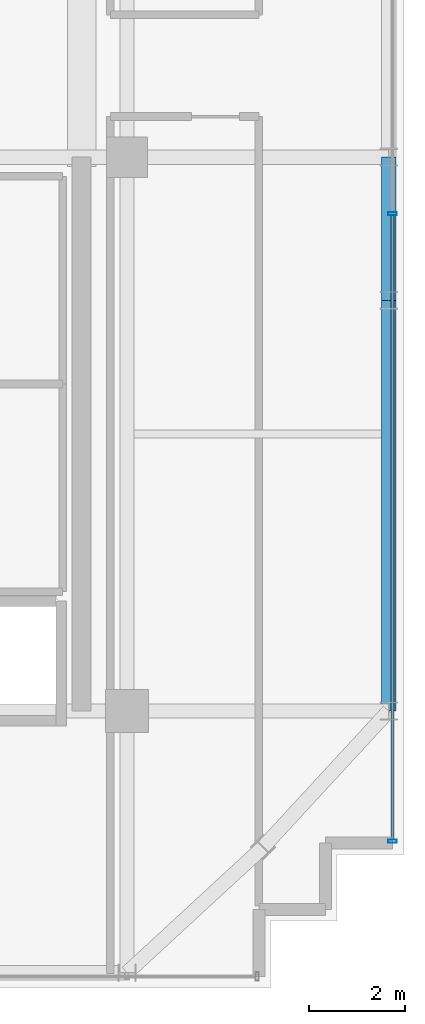
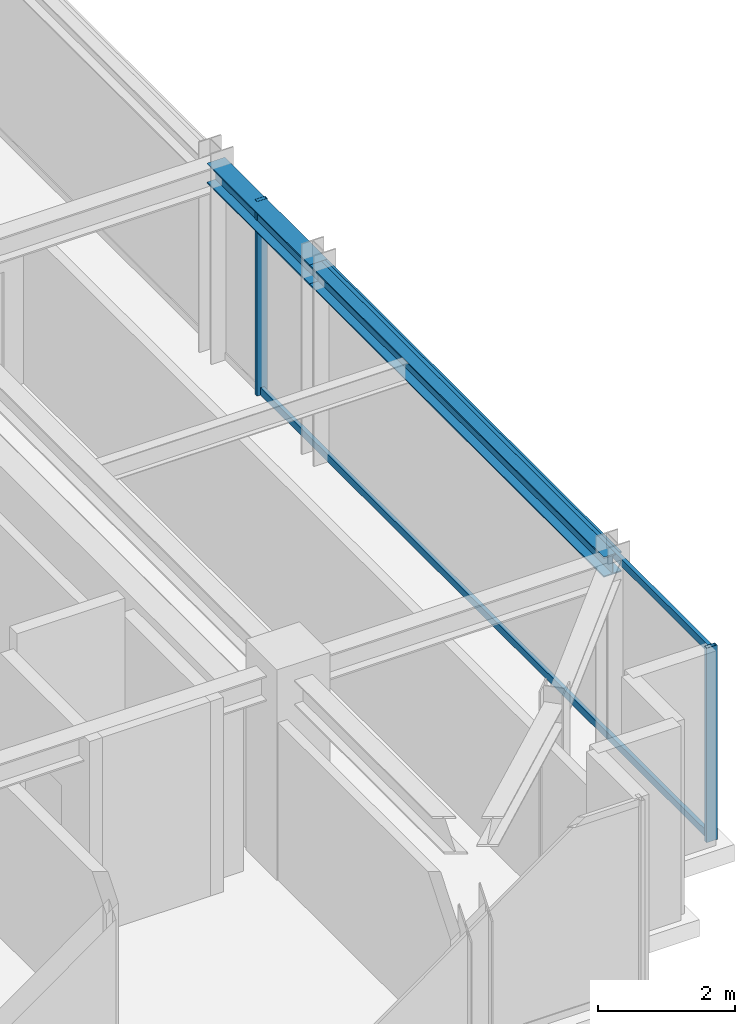
# One storey, part 14 of 34: 4 members, 2 beams, 1 element without a shape of its own.
"""IFC4 building model written with IfcOpenShell, lengths in metres."""

import ifcopenshell
import ifcopenshell.guid

model = None  # the IFC model being written
_history = None  # IfcOwnerHistory: only IFC2X3 demands one
_inside = {}  # id of a spatial element -> (the spatial element, [elements in it])
_under = {}  # id of a project, library or spatial element -> (it, [spatial elements below it])
_declared = {}  # id of a project -> (the project, [libraries it declares])
_typed = {}  # id of a type object -> (the type object, [elements of that type])
_made_of = {}  # id of a material, layer set ... -> (it, [elements and type objects made of it])


def new_model(schema):
    """Start an empty IFC model of exactly this schema.

    Asked for "IFC4X3", IfcOpenShell would pick the latest addendum, in which some entities
    have other attributes; the version numbers below select the first issue.
    IFC2X3 requires an IfcOwnerHistory on every rooted entity: one is made here for all.
    """
    global model, _history
    if schema == "IFC4X3":
        model = ifcopenshell.file(schema_version=(4, 3, 0, 0))
    else:
        model = ifcopenshell.file(schema=schema)
    _inside.clear()
    _under.clear()
    _declared.clear()
    _typed.clear()
    _made_of.clear()
    _history = None
    if model.schema == "IFC2X3":
        org = make("IfcOrganization", Name="unknown")
        user = make(
            "IfcPersonAndOrganization",
            ThePerson=make("IfcPerson", FamilyName="unknown"),
            TheOrganization=org,
        )
        app = make(
            "IfcApplication",
            ApplicationDeveloper=org,
            Version="unknown",
            ApplicationFullName="unknown",
            ApplicationIdentifier="unknown",
        )
        _history = make(
            "IfcOwnerHistory",
            OwningUser=user,
            OwningApplication=app,
            ChangeAction="ADDED",
            CreationDate=0,
        )
    return model


def make(cls, **values):
    """One entity of the class cls with the attributes given. An attribute that is None is left unset."""
    return model.create_entity(
        cls, **{name: value for name, value in values.items() if value is not None}
    )


def rooted(cls, **values):
    """An entity with a GlobalId (a new one), such as an element, a storey or a relation."""
    return make(cls, GlobalId=ifcopenshell.guid.new(), OwnerHistory=_history, **values)


def si_unit(unit_type, name, prefix=None):
    """IfcSIUnit, for example si_unit("LENGTHUNIT", "METRE", prefix="MILLI")."""
    return make("IfcSIUnit", UnitType=unit_type, Prefix=prefix, Name=name)


def assignment(units):
    """IfcUnitAssignment: the units of a project."""
    return None if units is None else make("IfcUnitAssignment", Units=units)


def point(xyz):
    """IfcCartesianPoint."""
    return None if xyz is None else make("IfcCartesianPoint", Coordinates=xyz)


def direction(xyz):
    """IfcDirection."""
    return None if xyz is None else make("IfcDirection", DirectionRatios=xyz)


def frame(location, z_axis=None, x_axis=None):
    """IfcAxis2Placement3D, a coordinate frame: its origin and axes. An axis left out is left unset."""
    return make(
        "IfcAxis2Placement3D",
        Location=point(location),
        Axis=direction(z_axis),
        RefDirection=direction(x_axis),
    )


def frame_2d(location, x_axis=None):
    """IfcAxis2Placement2D, a coordinate frame in the plane: its origin and x axis."""
    return make(
        "IfcAxis2Placement2D", Location=point(location), RefDirection=direction(x_axis)
    )


def origin():
    """The frame at (0, 0, 0) with its axes left unset."""
    return frame((0.0, 0.0, 0.0))


def origin_2d():
    """The frame at (0, 0) in the plane with its x axis left unset."""
    return frame_2d((0.0, 0.0))


def place(relative_to, where):
    """IfcLocalPlacement: puts the frame where relative to a parent placement (None: the world)."""
    return make(
        "IfcLocalPlacement", PlacementRelTo=relative_to, RelativePlacement=where
    )


def context(
    kind, dimensions, precision=None, world=None, true_north=None, identifier=None
):
    """IfcGeometricRepresentationContext, for example the 3D "Model" context."""
    return make(
        "IfcGeometricRepresentationContext",
        ContextIdentifier=identifier,
        ContextType=kind,
        CoordinateSpaceDimension=dimensions,
        Precision=precision,
        WorldCoordinateSystem=world,
        TrueNorth=true_north,
    )


def subcontext(parent, identifier, kind, view, scale=None):
    """IfcGeometricRepresentationSubContext, for example "Body" below "Model"."""
    return make(
        "IfcGeometricRepresentationSubContext",
        ContextIdentifier=identifier,
        ContextType=kind,
        ParentContext=parent,
        TargetScale=scale,
        TargetView=view,
    )


def project(units=None, contexts=None):
    """IfcProject with its units and contexts."""
    return rooted(
        "IfcProject",
        Name="project",
        RepresentationContexts=contexts,
        UnitsInContext=assignment(units),
    )


def spatial(cls, under=None, at=None, **own):
    """A site, building, storey or space (cls), placed at a placement, below another one or the project."""
    s = rooted(cls, ObjectPlacement=at, **own)
    if under is not None:
        _under.setdefault(under.id(), (under, []))[1].append(s)
    return s


def profile(cls, at=None, kind="AREA", **sizes):
    """A parametric profile (cls). Its sizes go by their IFC names, for example OverallWidth=200.0."""
    return make(cls, ProfileType=kind, Position=at, **sizes)


def hollow_rectangle(**sizes):
    """IfcRectangleHollowProfileDef."""
    return profile("IfcRectangleHollowProfileDef", **sizes)


def i_section(**sizes):
    """IfcIShapeProfileDef."""
    return profile("IfcIShapeProfileDef", **sizes)


def extrude(swept, where, along, depth):
    """IfcExtrudedAreaSolid: the profile swept, set in the frame where, extruded along a direction by depth."""
    return make(
        "IfcExtrudedAreaSolid",
        SweptArea=swept,
        Position=where,
        ExtrudedDirection=direction(along),
        Depth=depth,
    )


def shape(context_of_items, identifier, shape_type, items):
    """IfcShapeRepresentation: the items that make up one representation, for example the "Body"."""
    return make(
        "IfcShapeRepresentation",
        ContextOfItems=context_of_items,
        RepresentationIdentifier=identifier,
        RepresentationType=shape_type,
        Items=items,
    )


def source(mapping_origin, context_of_items, identifier, shape_type, items):
    """IfcRepresentationMap: a shape defined once, which mapped items show again and again."""
    return make(
        "IfcRepresentationMap",
        MappingOrigin=mapping_origin,
        MappedRepresentation=shape(context_of_items, identifier, shape_type, items),
    )


def transform(
    local_origin,
    x_axis=None,
    y_axis=None,
    z_axis=None,
    scale=None,
    scale2=None,
    scale3=None,
    uniform=True,
):
    """IfcCartesianTransformationOperator3D, or its non-uniform kind. x_axis, y_axis, z_axis: its Axis1, 2, 3."""
    if uniform:
        return make(
            "IfcCartesianTransformationOperator3D",
            Axis1=direction(x_axis),
            Axis2=direction(y_axis),
            LocalOrigin=point(local_origin),
            Scale=scale,
            Axis3=direction(z_axis),
        )
    return make(
        "IfcCartesianTransformationOperator3DnonUniform",
        Axis1=direction(x_axis),
        Axis2=direction(y_axis),
        LocalOrigin=point(local_origin),
        Scale=scale,
        Axis3=direction(z_axis),
        Scale2=scale2,
        Scale3=scale3,
    )


def mapped(mapping_source, mapping_target):
    """IfcMappedItem: shows the shape of a source again, moved by a transform."""
    return make(
        "IfcMappedItem", MappingSource=mapping_source, MappingTarget=mapping_target
    )


def material(Name=None, Category=None):
    """IfcMaterial."""
    return make("IfcMaterial", Name=Name, Category=Category)


def material_profile(
    of_material, cross_section, Name=None, Category=None, Priority=None
):
    """IfcMaterialProfile: a cross section and its material."""
    return make(
        "IfcMaterialProfile",
        Name=Name,
        Material=of_material,
        Profile=cross_section,
        Priority=Priority,
        Category=Category,
    )


def profile_set(profiles, Name=None, composite=None):
    """IfcMaterialProfileSet."""
    return make(
        "IfcMaterialProfileSet",
        Name=Name,
        MaterialProfiles=profiles,
        CompositeProfile=composite,
    )


def made_of(thing, what):
    """Note that an element or type object is made of a material, layer set ...; save() writes the relation."""
    if what is not None:
        _made_of.setdefault(what.id(), (what, []))[1].append(thing)
    return thing


def type_object(cls, material=None, **own):
    """A type object (cls), such as IfcWallType, which elements share."""
    return made_of(rooted(cls, **own), material)


def element(
    cls,
    number,
    at=None,
    inside=None,
    cuts=None,
    type_object=None,
    material=None,
    context=None,
    identifier="Body",
    shape_type=None,
    held_by="IfcProductDefinitionShape",
    body=None,
    shapes=None,
    **own,
):
    """One element of the class cls, such as IfcWall. Its Tag is "e" and its number.

    at: its placement. inside: the storey or other place that contains it. cuts: it is an
    opening in that element (IfcRelVoidsElement). A single representation is given by context,
    identifier, shape_type and body (its items); several are given by shapes. held_by: the class
    of the entity that holds the representations. save() writes the other relations.
    """
    e = rooted(cls, Tag="e%d" % number, ObjectPlacement=at, **own)
    if body is not None:
        shapes = [shape(context, identifier, shape_type, body)]
    if shapes is not None:
        e.Representation = make(held_by, Representations=shapes)
    if inside is not None:
        _inside.setdefault(inside.id(), (inside, []))[1].append(e)
    if cuts is not None:
        rooted(
            "IfcRelVoidsElement", RelatingBuildingElement=cuts, RelatedOpeningElement=e
        )
    if type_object is not None:
        _typed.setdefault(type_object.id(), (type_object, []))[1].append(e)
    return made_of(e, material)


def aggregate(whole, parts):
    """IfcRelAggregates: a whole, such as a stair, and the parts it consists of."""
    return rooted("IfcRelAggregates", RelatingObject=whole, RelatedObjects=parts)


def save(model, path):
    """Write the relations noted so far, then the file.

    IfcRelAggregates (storeys below a building ...), IfcRelContainedInSpatialStructure (elements
    in a storey), IfcRelDefinesByType, IfcRelAssociatesMaterial and IfcRelDeclares: one each for
    every whole, place, type object, material and project.
    """
    for whole, parts in _under.values():
        aggregate(whole, parts)
    for where, things in _inside.values():
        rooted(
            "IfcRelContainedInSpatialStructure",
            RelatedElements=things,
            RelatingStructure=where,
        )
    for kind, things in _typed.values():
        rooted("IfcRelDefinesByType", RelatedObjects=things, RelatingType=kind)
    for what, things in _made_of.values():
        rooted("IfcRelAssociatesMaterial", RelatedObjects=things, RelatingMaterial=what)
    for by, libraries in _declared.values():
        rooted("IfcRelDeclares", RelatingContext=by, RelatedDefinitions=libraries)
    model.write(path)


model = new_model("IFC4")

# Units and contexts
model_context = context("Model", 3, precision=1e-05, world=origin(), true_north=direction((0.0, 1.0)))
body_context = subcontext(model_context, "Body", "Model", "MODEL_VIEW")
ifc_project = project(units=[si_unit("LENGTHUNIT", "METRE"), si_unit("AREAUNIT", "SQUARE_METRE"), si_unit("VOLUMEUNIT", "CUBIC_METRE"), si_unit("PLANEANGLEUNIT", "RADIAN"), si_unit("MASSUNIT", "GRAM", prefix="KILO")], contexts=[model_context])

# Site, building, storey
site_placement = place(None, origin())
site = spatial("IfcSite", under=ifc_project, at=site_placement, CompositionType="ELEMENT")
building_placement = place(site_placement, origin())
building = spatial("IfcBuilding", under=site, at=building_placement, Name="Nahalor Promenade Grand Hotel", CompositionType="ELEMENT")
storey_placement = place(building_placement, frame((0.0, 0.0, 334.75)))
storey = spatial("IfcBuildingStorey", under=building, at=storey_placement, Name="L86", CompositionType="ELEMENT", Elevation=334.75)

# Beams
ifc_material_1 = material(Name="Steel S355JR", Category="steel")
ifc_material_profile_1 = material_profile(ifc_material_1, i_section(OverallWidth=0.3, OverallDepth=0.36, WebThickness=0.0125, FlangeThickness=0.0225, at=origin_2d()), Name="HEB 360")
ifc_profile_set_1 = profile_set([ifc_material_profile_1], Name="Steel S355JR")
beam_type = type_object("IfcBeamType", Name="Beam-Spandrel-HEB360", PredefinedType="SPANDREL", material=ifc_profile_set_1)
shared_shape_1 = source(origin(), body_context, "Body", "SweptSolid", [
    extrude(i_section(OverallWidth=0.3, OverallDepth=0.36, WebThickness=0.0125, FlangeThickness=0.0225, at=origin_2d()), origin(), (0.0, 0.0, 1.0), 8.60009765625),
])
beam_1_placement = place(storey_placement, frame((22.47998046875, -17.0, 3.2900390625), z_axis=(0.0, 1.0, 0.0), x_axis=(-1.0, 0.0, 0.0)))
element("IfcBeam", 1, at=beam_1_placement, inside=storey, type_object=beam_type, Name="BM-L86-SP-E-0", PredefinedType="SPANDREL", context=body_context, shape_type="MappedRepresentation", body=[
    mapped(shared_shape_1, transform((0.0, 0.0, 0.0), scale=1.0)),
])
shared_shape_2 = source(origin(), body_context, "Body", "SweptSolid", [
    extrude(i_section(OverallWidth=0.3, OverallDepth=0.36, WebThickness=0.0125, FlangeThickness=0.0225, at=origin_2d()), origin(), (0.0, 0.0, 1.0), 3.0),
])
beam_2_placement = place(storey_placement, frame((22.47998046875, -8.39990234375, 3.2900390625), z_axis=(0.0, 1.0, 0.0), x_axis=(-1.0, 0.0, 0.0)))
element("IfcBeam", 2, at=beam_2_placement, inside=storey, type_object=beam_type, Name="BM-L86-SP-E-1", PredefinedType="SPANDREL", context=body_context, shape_type="MappedRepresentation", body=[
    mapped(shared_shape_2, transform((0.0, 0.0, 0.0), scale=1.0)),
])

# Curtain wall, members
ifc_material_2 = material(Name="Anodised Bronze Aluminium EN AW-6063 T6", Category="aluminium")
curtain_wall_type = type_object("IfcCurtainWallType", Name="CW2 Typical Hotel Flush Bronze Unitised Curtain Wall", PredefinedType="USERDEFINED", material=ifc_material_2)
curtain_wall_placement = place(storey_placement, origin())
curtain_wall = element("IfcCurtainWall", 3, at=curtain_wall_placement, inside=storey, type_object=curtain_wall_type, Name="L86 Curtain Wall CW-L86-E-1", ObjectType="UNITISED_CURTAIN_WALL", PredefinedType="USERDEFINED")
ifc_material_profile_2 = material_profile(ifc_material_2, hollow_rectangle(XDim=0.065, YDim=0.13, WallThickness=0.004, at=origin_2d()), Name="CWT 65x130x4")
ifc_profile_set_2 = profile_set([ifc_material_profile_2], Name="Anodised Bronze Aluminium EN AW-6063 T6")
member_type_1 = type_object("IfcMemberType", Name="CWT2 Typical Bronze Transom 65x130", PredefinedType="USERDEFINED", material=ifc_profile_set_2)
shared_shape_3 = source(origin(), body_context, "Body", "SweptSolid", [
    extrude(hollow_rectangle(XDim=0.065, YDim=0.13, WallThickness=0.004, at=origin_2d()), origin(), (0.0, 0.0, 1.0), 13.075927734375),
])
member_1_placement = place(storey_placement, frame((22.56005859375, -19.695068359375, 0.06494140625), z_axis=(0.0, 1.0, 0.0), x_axis=(-1.0, 0.0, 0.0)))
member_1 = element("IfcMember", 4, at=member_1_placement, type_object=member_type_1, Name="CW-L86-E-1 Transom 0-0", ObjectType="TRANSOM", PredefinedType="USERDEFINED", context=body_context, shape_type="MappedRepresentation", body=[
    mapped(shared_shape_3, transform((0.0, 0.0, 0.0), scale=1.0)),
])
member_2_placement = place(storey_placement, frame((22.56005859375, -19.695068359375, 3.405029296875), z_axis=(0.0, 1.0, 0.0), x_axis=(-1.0, 0.0, 0.0)))
member_2 = element("IfcMember", 5, at=member_2_placement, type_object=member_type_1, Name="CW-L86-E-1 Transom 0-1", ObjectType="TRANSOM", PredefinedType="USERDEFINED", context=body_context, shape_type="MappedRepresentation", body=[
    mapped(shared_shape_3, transform((0.0, 0.0, 0.0), scale=1.0)),
])
ifc_material_profile_3 = material_profile(ifc_material_2, hollow_rectangle(XDim=0.065, YDim=0.18, WallThickness=0.004, at=origin_2d()), Name="CWM 65x180x4")
ifc_profile_set_3 = profile_set([ifc_material_profile_3], Name="Anodised Bronze Aluminium EN AW-6063 T6")
member_type_2 = type_object("IfcMemberType", Name="CWM2 Typical Bronze Mullion 65x180", PredefinedType="MULLION", material=ifc_profile_set_3)
shared_shape_4 = source(origin(), body_context, "Body", "SweptSolid", [
    extrude(hollow_rectangle(XDim=0.065, YDim=0.18, WallThickness=0.004, at=origin_2d()), origin(), (0.0, 0.0, 1.0), 3.469970703125),
])
member_3_placement = place(storey_placement, frame((22.56005859375, -19.7275390625, 0.0), z_axis=(0.0, 0.0, 1.0), x_axis=(0.0, 1.0, 0.0)))
member_3 = element("IfcMember", 6, at=member_3_placement, type_object=member_type_2, Name="CW-L86-E-1 Mullion 0", PredefinedType="MULLION", context=body_context, shape_type="MappedRepresentation", body=[
    mapped(shared_shape_4, transform((0.0, 0.0, 0.0), scale=1.0)),
])
member_4_placement = place(storey_placement, frame((22.56005859375, -6.586669921875, 0.0), z_axis=(0.0, 0.0, 1.0), x_axis=(0.0, 1.0, 0.0)))
member_4 = element("IfcMember", 7, at=member_4_placement, type_object=member_type_2, Name="CW-L86-E-1 Mullion 1", PredefinedType="MULLION", context=body_context, shape_type="MappedRepresentation", body=[
    mapped(shared_shape_4, transform((0.0, 0.0, 0.0), scale=1.0)),
])
aggregate(curtain_wall, [member_3, member_4, member_1, member_2])

save(model, "model.ifc")
